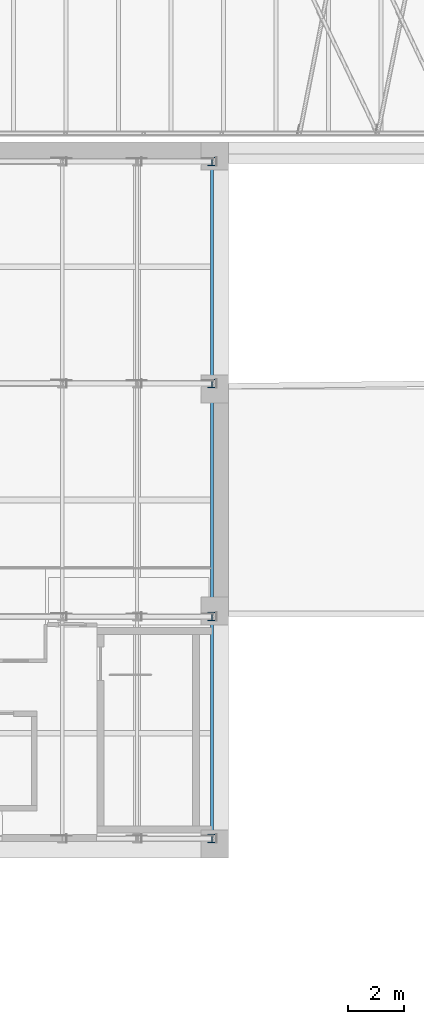
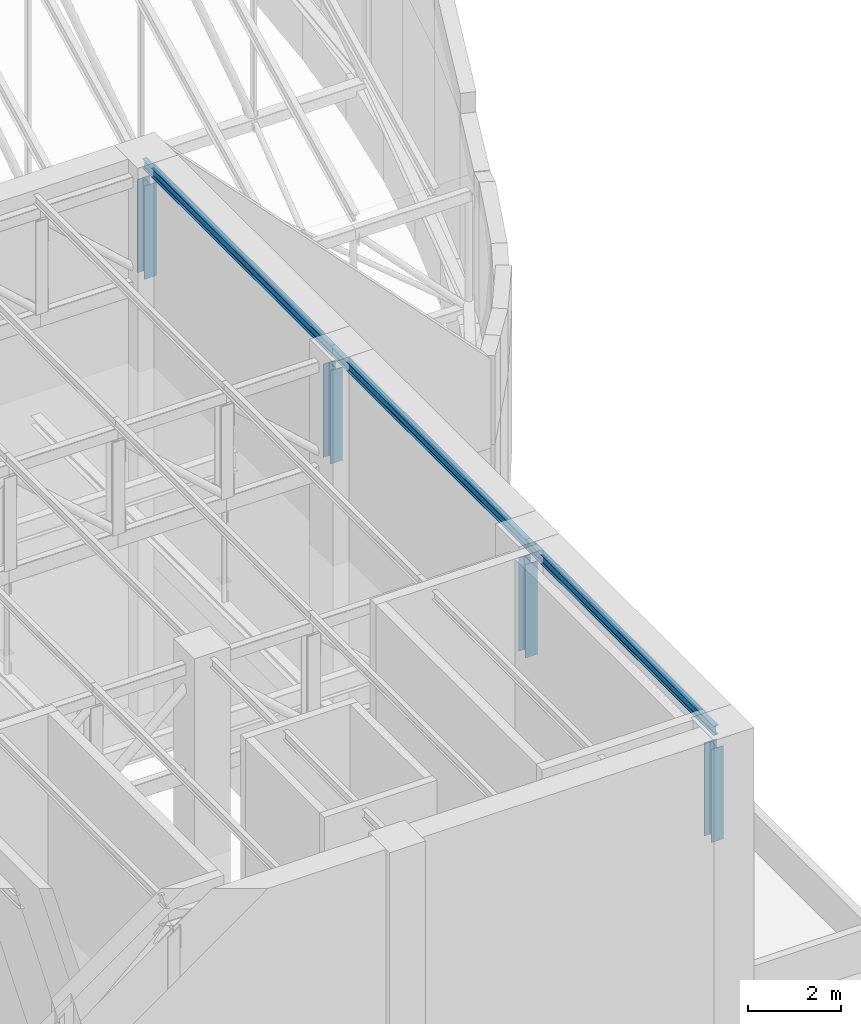
# One storey, part 13 of 68: 7 members.
"""IFC4 building model written with IfcOpenShell, lengths in metres."""

import ifcopenshell
import ifcopenshell.guid

model = None  # the IFC model being written
_history = None  # IfcOwnerHistory: only IFC2X3 demands one
_inside = {}  # id of a spatial element -> (the spatial element, [elements in it])
_under = {}  # id of a project, library or spatial element -> (it, [spatial elements below it])
_declared = {}  # id of a project -> (the project, [libraries it declares])
_typed = {}  # id of a type object -> (the type object, [elements of that type])
_made_of = {}  # id of a material, layer set ... -> (it, [elements and type objects made of it])


def new_model(schema):
    """Start an empty IFC model of exactly this schema.

    Asked for "IFC4X3", IfcOpenShell would pick the latest addendum, in which some entities
    have other attributes; the version numbers below select the first issue.
    IFC2X3 requires an IfcOwnerHistory on every rooted entity: one is made here for all.
    """
    global model, _history
    if schema == "IFC4X3":
        model = ifcopenshell.file(schema_version=(4, 3, 0, 0))
    else:
        model = ifcopenshell.file(schema=schema)
    _inside.clear()
    _under.clear()
    _declared.clear()
    _typed.clear()
    _made_of.clear()
    _history = None
    if model.schema == "IFC2X3":
        org = make("IfcOrganization", Name="unknown")
        user = make(
            "IfcPersonAndOrganization",
            ThePerson=make("IfcPerson", FamilyName="unknown"),
            TheOrganization=org,
        )
        app = make(
            "IfcApplication",
            ApplicationDeveloper=org,
            Version="unknown",
            ApplicationFullName="unknown",
            ApplicationIdentifier="unknown",
        )
        _history = make(
            "IfcOwnerHistory",
            OwningUser=user,
            OwningApplication=app,
            ChangeAction="ADDED",
            CreationDate=0,
        )
    return model


def make(cls, **values):
    """One entity of the class cls with the attributes given. An attribute that is None is left unset."""
    return model.create_entity(
        cls, **{name: value for name, value in values.items() if value is not None}
    )


def rooted(cls, **values):
    """An entity with a GlobalId (a new one), such as an element, a storey or a relation."""
    return make(cls, GlobalId=ifcopenshell.guid.new(), OwnerHistory=_history, **values)


def si_unit(unit_type, name, prefix=None):
    """IfcSIUnit, for example si_unit("LENGTHUNIT", "METRE", prefix="MILLI")."""
    return make("IfcSIUnit", UnitType=unit_type, Prefix=prefix, Name=name)


def assignment(units):
    """IfcUnitAssignment: the units of a project."""
    return None if units is None else make("IfcUnitAssignment", Units=units)


def point(xyz):
    """IfcCartesianPoint."""
    return None if xyz is None else make("IfcCartesianPoint", Coordinates=xyz)


def direction(xyz):
    """IfcDirection."""
    return None if xyz is None else make("IfcDirection", DirectionRatios=xyz)


def frame(location, z_axis=None, x_axis=None):
    """IfcAxis2Placement3D, a coordinate frame: its origin and axes. An axis left out is left unset."""
    return make(
        "IfcAxis2Placement3D",
        Location=point(location),
        Axis=direction(z_axis),
        RefDirection=direction(x_axis),
    )


def frame_2d(location, x_axis=None):
    """IfcAxis2Placement2D, a coordinate frame in the plane: its origin and x axis."""
    return make(
        "IfcAxis2Placement2D", Location=point(location), RefDirection=direction(x_axis)
    )


def origin():
    """The frame at (0, 0, 0) with its axes left unset."""
    return frame((0.0, 0.0, 0.0))


def origin_2d():
    """The frame at (0, 0) in the plane with its x axis left unset."""
    return frame_2d((0.0, 0.0))


def place(relative_to, where):
    """IfcLocalPlacement: puts the frame where relative to a parent placement (None: the world)."""
    return make(
        "IfcLocalPlacement", PlacementRelTo=relative_to, RelativePlacement=where
    )


def context(
    kind, dimensions, precision=None, world=None, true_north=None, identifier=None
):
    """IfcGeometricRepresentationContext, for example the 3D "Model" context."""
    return make(
        "IfcGeometricRepresentationContext",
        ContextIdentifier=identifier,
        ContextType=kind,
        CoordinateSpaceDimension=dimensions,
        Precision=precision,
        WorldCoordinateSystem=world,
        TrueNorth=true_north,
    )


def subcontext(parent, identifier, kind, view, scale=None):
    """IfcGeometricRepresentationSubContext, for example "Body" below "Model"."""
    return make(
        "IfcGeometricRepresentationSubContext",
        ContextIdentifier=identifier,
        ContextType=kind,
        ParentContext=parent,
        TargetScale=scale,
        TargetView=view,
    )


def project(units=None, contexts=None):
    """IfcProject with its units and contexts."""
    return rooted(
        "IfcProject",
        Name="project",
        RepresentationContexts=contexts,
        UnitsInContext=assignment(units),
    )


def spatial(cls, under=None, at=None, **own):
    """A site, building, storey or space (cls), placed at a placement, below another one or the project."""
    s = rooted(cls, ObjectPlacement=at, **own)
    if under is not None:
        _under.setdefault(under.id(), (under, []))[1].append(s)
    return s


def profile(cls, at=None, kind="AREA", **sizes):
    """A parametric profile (cls). Its sizes go by their IFC names, for example OverallWidth=200.0."""
    return make(cls, ProfileType=kind, Position=at, **sizes)


def i_section(**sizes):
    """IfcIShapeProfileDef."""
    return profile("IfcIShapeProfileDef", **sizes)


def extrude(swept, where, along, depth):
    """IfcExtrudedAreaSolid: the profile swept, set in the frame where, extruded along a direction by depth."""
    return make(
        "IfcExtrudedAreaSolid",
        SweptArea=swept,
        Position=where,
        ExtrudedDirection=direction(along),
        Depth=depth,
    )


def shape(context_of_items, identifier, shape_type, items):
    """IfcShapeRepresentation: the items that make up one representation, for example the "Body"."""
    return make(
        "IfcShapeRepresentation",
        ContextOfItems=context_of_items,
        RepresentationIdentifier=identifier,
        RepresentationType=shape_type,
        Items=items,
    )


def material(Name=None, Category=None):
    """IfcMaterial."""
    return make("IfcMaterial", Name=Name, Category=Category)


def material_profile(
    of_material, cross_section, Name=None, Category=None, Priority=None
):
    """IfcMaterialProfile: a cross section and its material."""
    return make(
        "IfcMaterialProfile",
        Name=Name,
        Material=of_material,
        Profile=cross_section,
        Priority=Priority,
        Category=Category,
    )


def profile_set(profiles, Name=None, composite=None):
    """IfcMaterialProfileSet."""
    return make(
        "IfcMaterialProfileSet",
        Name=Name,
        MaterialProfiles=profiles,
        CompositeProfile=composite,
    )


def made_of(thing, what):
    """Note that an element or type object is made of a material, layer set ...; save() writes the relation."""
    if what is not None:
        _made_of.setdefault(what.id(), (what, []))[1].append(thing)
    return thing


def type_object(cls, material=None, **own):
    """A type object (cls), such as IfcWallType, which elements share."""
    return made_of(rooted(cls, **own), material)


def element(
    cls,
    number,
    at=None,
    inside=None,
    cuts=None,
    type_object=None,
    material=None,
    context=None,
    identifier="Body",
    shape_type=None,
    held_by="IfcProductDefinitionShape",
    body=None,
    shapes=None,
    **own,
):
    """One element of the class cls, such as IfcWall. Its Tag is "e" and its number.

    at: its placement. inside: the storey or other place that contains it. cuts: it is an
    opening in that element (IfcRelVoidsElement). A single representation is given by context,
    identifier, shape_type and body (its items); several are given by shapes. held_by: the class
    of the entity that holds the representations. save() writes the other relations.
    """
    e = rooted(cls, Tag="e%d" % number, ObjectPlacement=at, **own)
    if body is not None:
        shapes = [shape(context, identifier, shape_type, body)]
    if shapes is not None:
        e.Representation = make(held_by, Representations=shapes)
    if inside is not None:
        _inside.setdefault(inside.id(), (inside, []))[1].append(e)
    if cuts is not None:
        rooted(
            "IfcRelVoidsElement", RelatingBuildingElement=cuts, RelatedOpeningElement=e
        )
    if type_object is not None:
        _typed.setdefault(type_object.id(), (type_object, []))[1].append(e)
    return made_of(e, material)


def aggregate(whole, parts):
    """IfcRelAggregates: a whole, such as a stair, and the parts it consists of."""
    return rooted("IfcRelAggregates", RelatingObject=whole, RelatedObjects=parts)


def save(model, path):
    """Write the relations noted so far, then the file.

    IfcRelAggregates (storeys below a building ...), IfcRelContainedInSpatialStructure (elements
    in a storey), IfcRelDefinesByType, IfcRelAssociatesMaterial and IfcRelDeclares: one each for
    every whole, place, type object, material and project.
    """
    for whole, parts in _under.values():
        aggregate(whole, parts)
    for where, things in _inside.values():
        rooted(
            "IfcRelContainedInSpatialStructure",
            RelatedElements=things,
            RelatingStructure=where,
        )
    for kind, things in _typed.values():
        rooted("IfcRelDefinesByType", RelatedObjects=things, RelatingType=kind)
    for what, things in _made_of.values():
        rooted("IfcRelAssociatesMaterial", RelatedObjects=things, RelatingMaterial=what)
    for by, libraries in _declared.values():
        rooted("IfcRelDeclares", RelatingContext=by, RelatedDefinitions=libraries)
    model.write(path)


model = new_model("IFC4")

# Units and contexts
model_context = context("Model", 3, precision=1e-05, world=origin(), true_north=direction((0.0, 1.0)))
body_context = subcontext(model_context, "Body", "Model", "MODEL_VIEW")
ifc_project = project(units=[si_unit("LENGTHUNIT", "METRE"), si_unit("AREAUNIT", "SQUARE_METRE"), si_unit("VOLUMEUNIT", "CUBIC_METRE"), si_unit("PLANEANGLEUNIT", "RADIAN"), si_unit("MASSUNIT", "GRAM", prefix="KILO")], contexts=[model_context])

# Site, building, storey
site_placement = place(None, origin())
site = spatial("IfcSite", under=ifc_project, at=site_placement, CompositionType="ELEMENT")
building_placement = place(site_placement, origin())
building = spatial("IfcBuilding", under=site, at=building_placement, Name="Larchfold Concert Hall", CompositionType="ELEMENT")
storey_placement = place(building_placement, frame((0.0, 0.0, 28.800048828125)))
storey = spatial("IfcBuildingStorey", under=building, at=storey_placement, Name="L06", CompositionType="ELEMENT", Elevation=28.800048828125)

# Members
ifc_material_1 = material(Name="Steel S355", Category="steel")
ifc_material_profile_1 = material_profile(ifc_material_1, i_section(OverallWidth=0.1201171875, OverallDepth=0.239990234375, WebThickness=0.006103515625, FlangeThickness=0.009765625, FilletRadius=0.014892578125, at=origin_2d()))
ifc_profile_set_1 = profile_set([ifc_material_profile_1], Name="Steel S355")
member_type_1 = type_object("IfcMemberType", Name="Purlin IPE 240", PredefinedType="PURLIN", material=ifc_profile_set_1)
member_1_placement = place(storey_placement, frame((50.699951171875, 34.5, 14.169921875), z_axis=(0.0, 1.0, 0.0), x_axis=(-1.0, 0.0, 0.0)))
element("IfcMember", 1, at=member_1_placement, inside=storey, type_object=member_type_1, Name="Member SP07", PredefinedType="PURLIN", context=body_context, shape_type="SweptSolid", body=[
    extrude(i_section(OverallWidth=0.1201171875, OverallDepth=0.239990234375, WebThickness=0.006103515625, FlangeThickness=0.009765625, FilletRadius=0.014892578125, at=origin_2d()), origin(), (0.0, 0.0, 1.0), 8.10009765625),
])
member_2_placement = place(storey_placement, frame((50.699951171875, 42.60009765625, 14.169921875), z_axis=(0.0, 1.0, 0.0), x_axis=(-1.0, 0.0, 0.0)))
element("IfcMember", 2, at=member_2_placement, inside=storey, type_object=member_type_1, Name="Member SP14", PredefinedType="PURLIN", context=body_context, shape_type="SweptSolid", body=[
    extrude(i_section(OverallWidth=0.1201171875, OverallDepth=0.239990234375, WebThickness=0.006103515625, FlangeThickness=0.009765625, FilletRadius=0.014892578125, at=origin_2d()), origin(), (0.0, 0.0, 1.0), 8.39990234375),
])
member_3_placement = place(storey_placement, frame((50.699951171875, 51.0, 14.169921875), z_axis=(0.0, 1.0, 0.0), x_axis=(-1.0, 0.0, 0.0)))
element("IfcMember", 3, at=member_3_placement, inside=storey, type_object=member_type_1, Name="Member SP21", PredefinedType="PURLIN", context=body_context, shape_type="SweptSolid", body=[
    extrude(i_section(OverallWidth=0.1201171875, OverallDepth=0.239990234375, WebThickness=0.006103515625, FlangeThickness=0.009765625, FilletRadius=0.014892578125, at=origin_2d()), origin(), (0.0, 0.0, 1.0), 8.10009765625),
])
ifc_material_2 = material(Name="Steel S355", Category="steel")
ifc_material_profile_2 = material_profile(ifc_material_2, i_section(OverallWidth=0.300048828125, OverallDepth=0.31005859375, WebThickness=0.009033203125, FlangeThickness=0.015380859375, FilletRadius=0.027099609375, at=origin_2d()))
ifc_profile_set_2 = profile_set([ifc_material_profile_2], Name="Steel S355")
member_type_2 = type_object("IfcMemberType", Name="Truss post HEA 320", PredefinedType="POST", material=ifc_profile_set_2)
for number, where, z_axis, x_axis, name in (
    (4, (50.699951171875, 34.60009765625, 11.300048828125), (0.0, 0.0, 1.0), (1.0, 0.0, 0.0), "Member SR1V07"),
    (5, (50.699951171875, 42.60009765625, 11.300048828125), (0.0, 0.0, 1.0), (1.0, 0.0, 0.0), "Member SR2V07"),
    (6, (50.699951171875, 51.0, 11.300048828125), (0.0, 0.0, 1.0), (1.0, 0.0, 0.0), "Member SR3V07"),
    (7, (50.699951171875, 59.0, 11.300048828125), (0.0, 0.0, 1.0), (1.0, 0.0, 0.0), "Member SR4V07"),
):
    element("IfcMember", number, at=place(storey_placement, frame(where, z_axis=z_axis, x_axis=x_axis)), inside=storey, type_object=member_type_2, Name=name, PredefinedType="POST", context=body_context, shape_type="SweptSolid", body=[
        extrude(i_section(OverallWidth=0.300048828125, OverallDepth=0.31005859375, WebThickness=0.009033203125, FlangeThickness=0.015380859375, FilletRadius=0.027099609375, at=origin_2d()), origin(), (0.0, 0.0, 1.0), 2.449951171875),
    ])

save(model, "model.ifc")
